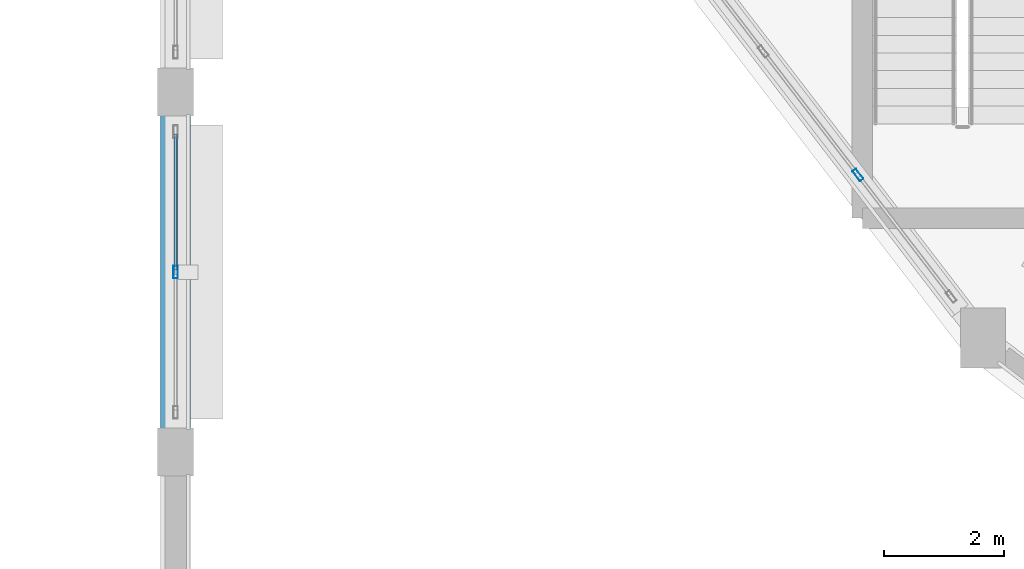
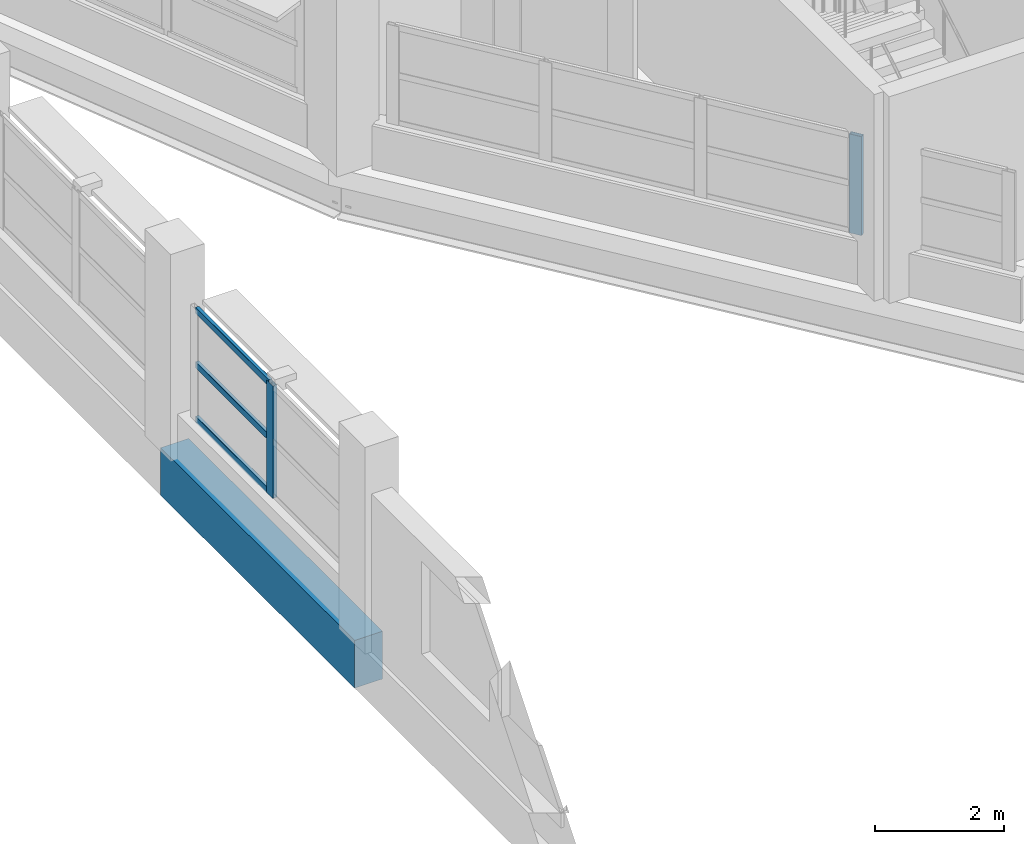
# One storey, part 11 of 121: 5 members, 1 beam, 2 elements without a shape of their own.
"""IFC4 building model written with IfcOpenShell, lengths in metres."""

from ifc_helpers import new_model, si_unit, direction, frame, origin, origin_2d, place, context, subcontext, project, spatial, rectangle, hollow_rectangle, extrude, material, layer, layer_set, material_profile, profile_set, type_object, element, aggregate, save


model = new_model("IFC4")

# Units and contexts
model_context = context("Model", 3, precision=1e-05, world=origin(), true_north=direction((0.0, 1.0)))
body_context = subcontext(model_context, "Body", "Model", "MODEL_VIEW")
ifc_project = project(units=[si_unit("LENGTHUNIT", "METRE"), si_unit("AREAUNIT", "SQUARE_METRE"), si_unit("VOLUMEUNIT", "CUBIC_METRE"), si_unit("PLANEANGLEUNIT", "RADIAN"), si_unit("MASSUNIT", "GRAM", prefix="KILO")], contexts=[model_context])

# Site, building, storey
site_placement = place(None, origin())
site = spatial("IfcSite", under=ifc_project, at=site_placement, CompositionType="ELEMENT")
building_placement = place(site_placement, origin())
building = spatial("IfcBuilding", under=site, at=building_placement, Name="Vespera Passage Community Centre", CompositionType="ELEMENT")
storey_placement = place(building_placement, frame((0.0, 0.0, 8.699951171875)))
storey = spatial("IfcBuildingStorey", under=building, at=storey_placement, Name="L02", CompositionType="ELEMENT", Elevation=8.699951171875)

# Beam
ifc_material_1 = material(Name="Concrete f'c 45 MPa", Category="concrete")
ifc_material_profile_1 = material_profile(ifc_material_1, rectangle(XDim=0.5, YDim=0.89990234375, at=origin_2d()), Name="RC500X900")
ifc_profile_set_1 = profile_set([ifc_material_profile_1], Name="Concrete f'c 45 MPa")
beam_type = type_object("IfcBeamType", Name="BM-SP-500X900E", PredefinedType="SPANDREL", material=ifc_profile_set_1)
beam_placement = place(storey_placement, frame((31.949951171875, 31.0, -0.449951171875), z_axis=(0.0, 1.0, 0.0), x_axis=(-1.0, 0.0, 0.0)))
element("IfcBeam", 1, at=beam_placement, inside=storey, type_object=beam_type, Name="V1 L02 Spandrel E5", PredefinedType="SPANDREL", context=body_context, shape_type="SweptSolid", body=[
    extrude(rectangle(XDim=0.5, YDim=0.89990234375, at=origin_2d()), origin(), (0.0, 0.0, 1.0), 6.0),
])

# Curtain wall, member
ifc_material_2 = material(Name="Anodized aluminium 6063-T6", Category="aluminium")
ifc_layer_1 = layer(ifc_material_2, 0.159912109375)
ifc_layer_set_1 = layer_set([ifc_layer_1], Name="Anodized aluminium 6063-T6")
curtain_wall_type_1 = type_object("IfcCurtainWallType", Name="CW-36E", PredefinedType="NOTDEFINED", material=ifc_layer_set_1)
curtain_wall_1_placement = place(storey_placement, origin())
curtain_wall_1 = element("IfcCurtainWall", 2, at=curtain_wall_1_placement, inside=storey, type_object=curtain_wall_type_1, Name="V4 L02 Outer Ribbon Curtain Wall 14", PredefinedType="NOTDEFINED")
ifc_material_3 = material(Name="Anodized aluminium 6063-T6", Category="aluminium")
ifc_material_profile_2 = material_profile(ifc_material_3, hollow_rectangle(XDim=0.074951171875, YDim=0.2099609375, WallThickness=0.0048828125, InnerFilletRadius=0.00244140625, OuterFilletRadius=0.0048828125, at=origin_2d()), Name="ALU210X75X5")
ifc_profile_set_2 = profile_set([ifc_material_profile_2], Name="Anodized aluminium 6063-T6")
member_type_1 = type_object("IfcMemberType", Name="MB-CWM-210E", PredefinedType="MULLION", material=ifc_profile_set_2)
member_1_placement = place(storey_placement, frame((43.31787109375, 35.618896484375, 0.820068359375), z_axis=(0.0, 0.0, 1.0), x_axis=(-0.793350257139, -0.608765447029, 0.0)))
member_1 = element("IfcMember", 3, at=member_1_placement, type_object=member_type_1, Name="CW-36E mullion 2", PredefinedType="MULLION", context=body_context, shape_type="SweptSolid", body=[
    extrude(hollow_rectangle(XDim=0.074951171875, YDim=0.2099609375, WallThickness=0.0048828125, InnerFilletRadius=0.00244140625, OuterFilletRadius=0.0048828125, at=origin_2d()), origin(), (0.0, 0.0, 1.0), 1.865478515625),
])
aggregate(curtain_wall_1, [member_1])

# Curtain wall, members
ifc_material_4 = material(Name="Anodized aluminium 6063-T6", Category="aluminium")
ifc_layer_2 = layer(ifc_material_4, 0.159912109375)
ifc_layer_set_2 = layer_set([ifc_layer_2], Name="Anodized aluminium 6063-T6")
curtain_wall_type_2 = type_object("IfcCurtainWallType", Name="CW-86E", PredefinedType="NOTDEFINED", material=ifc_layer_set_2)
curtain_wall_2_placement = place(storey_placement, origin())
curtain_wall_2 = element("IfcCurtainWall", 4, at=curtain_wall_2_placement, inside=storey, type_object=curtain_wall_type_2, Name="Main Hall Acoustic Curtain Wall L02 E5", PredefinedType="NOTDEFINED")
member_2_placement = place(storey_placement, frame((31.949951171875, 34.0, 0.85009765625), z_axis=(0.0, 0.0, 1.0), x_axis=(1.0, 0.0, 0.0)))
member_2 = element("IfcMember", 5, at=member_2_placement, type_object=member_type_1, Name="CW-86E mullion 2", PredefinedType="MULLION", context=body_context, shape_type="SweptSolid", body=[
    extrude(hollow_rectangle(XDim=0.074951171875, YDim=0.2099609375, WallThickness=0.0048828125, InnerFilletRadius=0.00244140625, OuterFilletRadius=0.0048828125, at=origin_2d()), origin(), (0.0, 0.0, 1.0), 2.114990234375),
])
ifc_material_5 = material(Name="Anodized aluminium 6063-T6", Category="aluminium")
ifc_material_profile_3 = material_profile(ifc_material_5, hollow_rectangle(XDim=0.06005859375, YDim=0.1201171875, WallThickness=0.00390625, InnerFilletRadius=0.001953125, OuterFilletRadius=0.00390625, at=origin_2d()), Name="ALU120X60X4")
ifc_profile_set_3 = profile_set([ifc_material_profile_3], Name="Anodized aluminium 6063-T6")
member_type_2 = type_object("IfcMemberType", Name="MB-CWT-120E", PredefinedType="USERDEFINED", material=ifc_profile_set_3)
member_3_placement = place(storey_placement, frame((31.949951171875, 36.300048828125, 0.880126953125), z_axis=(0.0, -1.0, 0.0), x_axis=(1.0, 0.0, 0.0)))
member_3 = element("IfcMember", 6, at=member_3_placement, type_object=member_type_2, Name="CW-86E transom 1.1", ObjectType="TRANSOM", PredefinedType="USERDEFINED", context=body_context, shape_type="SweptSolid", body=[
    extrude(hollow_rectangle(XDim=0.06005859375, YDim=0.1201171875, WallThickness=0.00390625, InnerFilletRadius=0.001953125, OuterFilletRadius=0.00390625, at=origin_2d()), origin(), (0.0, 0.0, 1.0), 2.262451171875),
])
member_4_placement = place(storey_placement, frame((31.949951171875, 36.300048828125, 1.907470703125), z_axis=(0.0, -1.0, 0.0), x_axis=(1.0, 0.0, 0.0)))
member_4 = element("IfcMember", 7, at=member_4_placement, type_object=member_type_2, Name="CW-86E transom 1.2", ObjectType="TRANSOM", PredefinedType="USERDEFINED", context=body_context, shape_type="SweptSolid", body=[
    extrude(hollow_rectangle(XDim=0.06005859375, YDim=0.1201171875, WallThickness=0.00390625, InnerFilletRadius=0.001953125, OuterFilletRadius=0.00390625, at=origin_2d()), origin(), (0.0, 0.0, 1.0), 2.262451171875),
])
member_5_placement = place(storey_placement, frame((31.949951171875, 36.300048828125, 2.93505859375), z_axis=(0.0, -1.0, 0.0), x_axis=(1.0, 0.0, 0.0)))
member_5 = element("IfcMember", 8, at=member_5_placement, type_object=member_type_2, Name="CW-86E transom 1.3", ObjectType="TRANSOM", PredefinedType="USERDEFINED", context=body_context, shape_type="SweptSolid", body=[
    extrude(hollow_rectangle(XDim=0.06005859375, YDim=0.1201171875, WallThickness=0.00390625, InnerFilletRadius=0.001953125, OuterFilletRadius=0.00390625, at=origin_2d()), origin(), (0.0, 0.0, 1.0), 2.262451171875),
])
aggregate(curtain_wall_2, [member_2, member_3, member_4, member_5])

save(model, "model.ifc")
